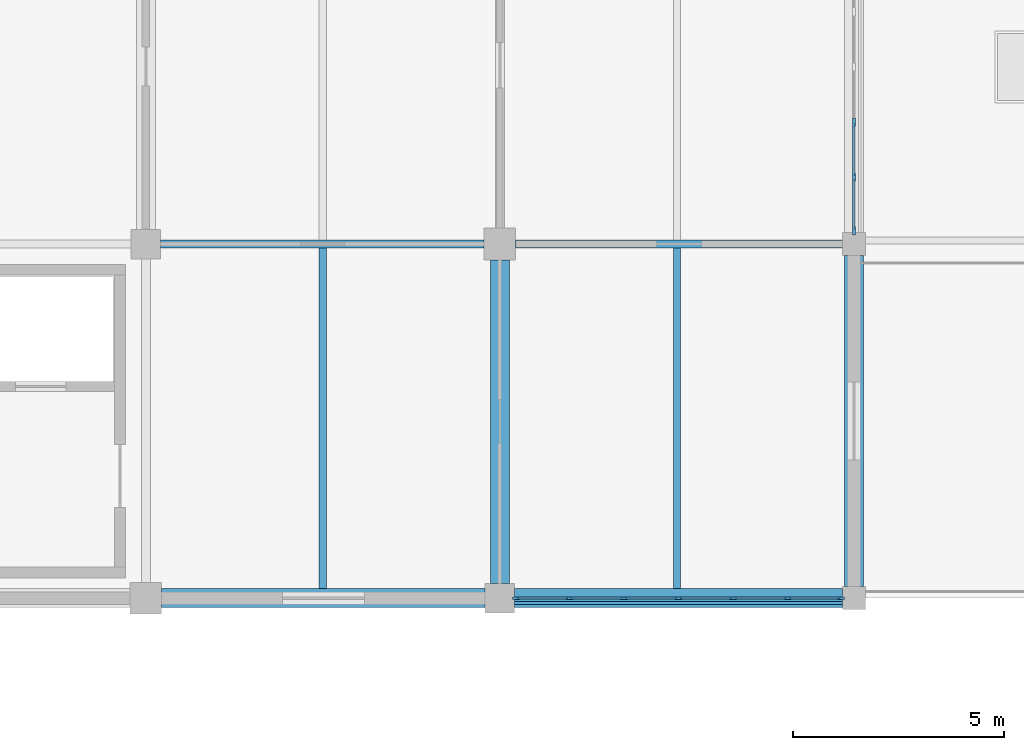
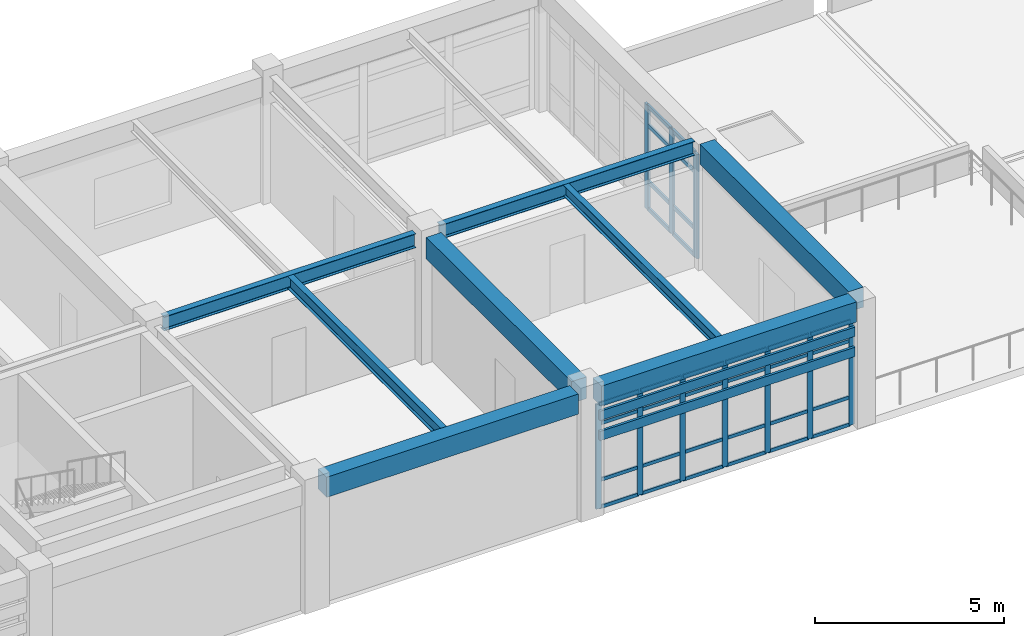
# One storey, part 16 of 40: 44 members, 8 beams, 2 elements without a shape of their own.
"""IFC4 building model written with IfcOpenShell, lengths in metres."""

from ifc_helpers import new_model, si_unit, direction, frame, origin, origin_2d, place, context, subcontext, project, spatial, rectangle, i_section, extrude, material, layer, layer_set, material_profile, profile_set, type_object, element, aggregate, save


model = new_model("IFC4")

# Units and contexts
model_context = context("Model", 3, precision=1e-05, world=origin(), true_north=direction((0.0, 1.0)))
body_context = subcontext(model_context, "Body", "Model", "MODEL_VIEW")
ifc_project = project(units=[si_unit("LENGTHUNIT", "METRE"), si_unit("AREAUNIT", "SQUARE_METRE"), si_unit("VOLUMEUNIT", "CUBIC_METRE"), si_unit("PLANEANGLEUNIT", "RADIAN"), si_unit("MASSUNIT", "GRAM", prefix="KILO")], contexts=[model_context])

# Site, building, storey
site_placement = place(None, origin())
site = spatial("IfcSite", under=ifc_project, at=site_placement, CompositionType="ELEMENT")
building_placement = place(site_placement, origin())
building = spatial("IfcBuilding", under=site, at=building_placement, Name="Porcellanite Civic Hall", CompositionType="ELEMENT")
storey_placement = place(building_placement, frame((0.0, 0.0, 19.080078125)))
storey = spatial("IfcBuildingStorey", under=building, at=storey_placement, Name="L04", CompositionType="ELEMENT", Elevation=19.080078125)

# Beams
ifc_material_1 = material(Name="Concrete N50 (50 MPa)", Category="concrete")
ifc_material_profile_1 = material_profile(ifc_material_1, rectangle(XDim=0.449951171875, YDim=0.64990234375, at=origin_2d()), Name="RC-450x650")
ifc_profile_set_1 = profile_set([ifc_material_profile_1], Name="Concrete N50 (50 MPa)")
beam_type_1 = type_object("IfcBeamType", Name="BM-RC650", PredefinedType="SPANDREL", material=ifc_profile_set_1)
beam_1_placement = place(storey_placement, frame((117.974609375, 100.800048828125, 3.744873046875), z_axis=(1.0, 0.0, 0.0), x_axis=(0.0, 1.0, 0.0)))
element("IfcBeam", 1, at=beam_1_placement, inside=storey, type_object=beam_type_1, Name="Beam X L04 15-13", PredefinedType="SPANDREL", context=body_context, shape_type="SweptSolid", body=[
    extrude(rectangle(XDim=0.449951171875, YDim=0.64990234375, at=origin_2d()), origin(), (0.0, 0.0, 1.0), 7.67578125),
])
beam_2_placement = place(storey_placement, frame((126.349609375, 100.800048828125, 3.744873046875), z_axis=(1.0, 0.0, 0.0), x_axis=(0.0, 1.0, 0.0)))
element("IfcBeam", 2, at=beam_2_placement, inside=storey, type_object=beam_type_1, Name="Beam X L04 16-13", PredefinedType="SPANDREL", context=body_context, shape_type="SweptSolid", body=[
    extrude(rectangle(XDim=0.449951171875, YDim=0.64990234375, at=origin_2d()), origin(), (0.0, 0.0, 1.0), 7.77587890625),
])
beam_3_placement = place(storey_placement, frame((134.39990234375, 101.074462890625, 3.744873046875), z_axis=(0.0, 1.0, 0.0), x_axis=(-1.0, 0.0, 0.0)))
element("IfcBeam", 3, at=beam_3_placement, inside=storey, type_object=beam_type_1, Name="Beam Y L04 17-13", PredefinedType="SPANDREL", context=body_context, shape_type="SweptSolid", body=[
    extrude(rectangle(XDim=0.449951171875, YDim=0.64990234375, at=origin_2d()), origin(), (0.0, 0.0, 1.0), 7.85107421875),
])
ifc_material_2 = material(Name="Concrete N50 (50 MPa)", Category="concrete")
ifc_material_profile_2 = material_profile(ifc_material_2, rectangle(XDim=0.449951171875, YDim=0.699951171875, at=origin_2d()), Name="RC-450x700")
ifc_profile_set_2 = profile_set([ifc_material_profile_2], Name="Concrete N50 (50 MPa)")
beam_type_2 = type_object("IfcBeamType", Name="BM-RC700", PredefinedType="BEAM", material=ifc_profile_set_2)
beam_4_placement = place(storey_placement, frame((126.0, 101.1494140625, 3.719970703125), z_axis=(0.0, 1.0, 0.0), x_axis=(-1.0, 0.0, 0.0)))
element("IfcBeam", 4, at=beam_4_placement, inside=storey, type_object=beam_type_2, Name="Beam Y L04 16-13", PredefinedType="BEAM", context=body_context, shape_type="SweptSolid", body=[
    extrude(rectangle(XDim=0.449951171875, YDim=0.699951171875, at=origin_2d()), origin(), (0.0, 0.0, 1.0), 7.676025390625),
])

# Curtain wall, members
ifc_material_3 = material(Name="Anodised aluminium and solar laminated glass", Category="aluminium")
ifc_layer_1 = layer(ifc_material_3, 0.179931640625)
ifc_layer_set_1 = layer_set([ifc_layer_1], Name="Anodised aluminium and solar laminated glass")
curtain_wall_type_1 = type_object("IfcCurtainWallType", Name="CW-SYS01", PredefinedType="NOTDEFINED", material=ifc_layer_set_1)
curtain_wall_1_placement = place(storey_placement, origin())
curtain_wall_1 = element("IfcCurtainWall", 5, at=curtain_wall_1_placement, inside=storey, type_object=curtain_wall_type_1, Name="Curtain wall CW-257", PredefinedType="NOTDEFINED")
ifc_material_4 = material(Name="Anodised aluminium 6063-T6", Category="aluminium")
ifc_material_profile_3 = material_profile(ifc_material_4, rectangle(XDim=0.070068359375, YDim=0.199951171875, at=origin_2d()), Name="AL-70x200")
ifc_profile_set_3 = profile_set([ifc_material_profile_3], Name="Anodised aluminium 6063-T6")
member_type_1 = type_object("IfcMemberType", Name="CWM-05", PredefinedType="MULLION", material=ifc_profile_set_3)
member_1_placement = place(storey_placement, frame((134.39990234375, 112.092041015625, 0.0), z_axis=(0.0, 0.0, 1.0), x_axis=(1.0, 0.0, 0.0)))
member_1 = element("IfcMember", 6, at=member_1_placement, type_object=member_type_1, Name="CW-257 mullion 5", PredefinedType="MULLION", context=body_context, shape_type="SweptSolid", body=[
    extrude(rectangle(XDim=0.070068359375, YDim=0.199951171875, at=origin_2d()), origin(), (0.0, 0.0, 1.0), 3.369873046875),
])
member_2_placement = place(storey_placement, frame((134.39990234375, 110.783935546875, 0.0), z_axis=(0.0, 0.0, 1.0), x_axis=(1.0, 0.0, 0.0)))
member_2 = element("IfcMember", 7, at=member_2_placement, type_object=member_type_1, Name="CW-257 mullion 6", PredefinedType="MULLION", context=body_context, shape_type="SweptSolid", body=[
    extrude(rectangle(XDim=0.070068359375, YDim=0.199951171875, at=origin_2d()), origin(), (0.0, 0.0, 1.0), 3.369873046875),
])
member_3_placement = place(storey_placement, frame((134.39990234375, 109.510986328125, 0.0), z_axis=(0.0, 0.0, 1.0), x_axis=(1.0, 0.0, 0.0)))
member_3 = element("IfcMember", 8, at=member_3_placement, type_object=member_type_1, Name="CW-257 mullion 7", PredefinedType="MULLION", context=body_context, shape_type="SweptSolid", body=[
    extrude(rectangle(XDim=0.070068359375, YDim=0.199951171875, at=origin_2d()), origin(), (0.0, 0.0, 1.0), 3.369873046875),
])

ifc_material_5 = material(Name="Anodised aluminium and solar laminated glass", Category="aluminium")
ifc_layer_2 = layer(ifc_material_5, 0.179931640625)
ifc_layer_set_2 = layer_set([ifc_layer_2], Name="Anodised aluminium and solar laminated glass")
curtain_wall_type_2 = type_object("IfcCurtainWallType", Name="CW-SYS07", PredefinedType="NOTDEFINED", material=ifc_layer_set_2)
curtain_wall_2_placement = place(storey_placement, origin())
curtain_wall_2 = element("IfcCurtainWall", 9, at=curtain_wall_2_placement, inside=storey, type_object=curtain_wall_type_2, Name="Curtain wall CW-255", PredefinedType="NOTDEFINED")
ifc_material_6 = material(Name="Anodised aluminium 6063-T6", Category="aluminium")
ifc_material_profile_4 = material_profile(ifc_material_6, rectangle(XDim=0.06005859375, YDim=0.159912109375, at=origin_2d()), Name="AL-60x160")
ifc_profile_set_4 = profile_set([ifc_material_profile_4], Name="Anodised aluminium 6063-T6")
member_type_2 = type_object("IfcMemberType", Name="CWM-07", PredefinedType="MULLION", material=ifc_profile_set_4)
member_4_placement = place(storey_placement, frame((134.093994140625, 100.800048828125, 0.0), z_axis=(0.0, 0.0, 1.0), x_axis=(0.0, -1.0, 0.0)))
member_4 = element("IfcMember", 10, at=member_4_placement, type_object=member_type_2, Name="CW-255 mullion 1", PredefinedType="MULLION", context=body_context, shape_type="SweptSolid", body=[
    extrude(rectangle(XDim=0.06005859375, YDim=0.159912109375, at=origin_2d()), origin(), (0.0, 0.0, 1.0), 3.369873046875),
])
member_5_placement = place(storey_placement, frame((132.82861328125, 100.800048828125, 0.0), z_axis=(0.0, 0.0, 1.0), x_axis=(0.0, -1.0, 0.0)))
member_5 = element("IfcMember", 11, at=member_5_placement, type_object=member_type_2, Name="CW-255 mullion 2", PredefinedType="MULLION", context=body_context, shape_type="SweptSolid", body=[
    extrude(rectangle(XDim=0.06005859375, YDim=0.159912109375, at=origin_2d()), origin(), (0.0, 0.0, 1.0), 3.369873046875),
])
member_6_placement = place(storey_placement, frame((131.532958984375, 100.800048828125, 0.0), z_axis=(0.0, 0.0, 1.0), x_axis=(0.0, -1.0, 0.0)))
member_6 = element("IfcMember", 12, at=member_6_placement, type_object=member_type_2, Name="CW-255 mullion 3", PredefinedType="MULLION", context=body_context, shape_type="SweptSolid", body=[
    extrude(rectangle(XDim=0.06005859375, YDim=0.159912109375, at=origin_2d()), origin(), (0.0, 0.0, 1.0), 3.369873046875),
])
member_7_placement = place(storey_placement, frame((130.237548828125, 100.800048828125, 0.0), z_axis=(0.0, 0.0, 1.0), x_axis=(0.0, -1.0, 0.0)))
member_7 = element("IfcMember", 13, at=member_7_placement, type_object=member_type_2, Name="CW-255 mullion 4", PredefinedType="MULLION", context=body_context, shape_type="SweptSolid", body=[
    extrude(rectangle(XDim=0.06005859375, YDim=0.159912109375, at=origin_2d()), origin(), (0.0, 0.0, 1.0), 3.369873046875),
])
member_8_placement = place(storey_placement, frame((128.94189453125, 100.800048828125, 0.0), z_axis=(0.0, 0.0, 1.0), x_axis=(0.0, -1.0, 0.0)))
member_8 = element("IfcMember", 14, at=member_8_placement, type_object=member_type_2, Name="CW-255 mullion 5", PredefinedType="MULLION", context=body_context, shape_type="SweptSolid", body=[
    extrude(rectangle(XDim=0.06005859375, YDim=0.159912109375, at=origin_2d()), origin(), (0.0, 0.0, 1.0), 3.369873046875),
])
member_9_placement = place(storey_placement, frame((127.646484375, 100.800048828125, 0.0), z_axis=(0.0, 0.0, 1.0), x_axis=(0.0, -1.0, 0.0)))
member_9 = element("IfcMember", 15, at=member_9_placement, type_object=member_type_2, Name="CW-255 mullion 6", PredefinedType="MULLION", context=body_context, shape_type="SweptSolid", body=[
    extrude(rectangle(XDim=0.06005859375, YDim=0.159912109375, at=origin_2d()), origin(), (0.0, 0.0, 1.0), 3.369873046875),
])
member_10_placement = place(storey_placement, frame((126.381103515625, 100.800048828125, 0.0), z_axis=(0.0, 0.0, 1.0), x_axis=(0.0, -1.0, 0.0)))
member_10 = element("IfcMember", 16, at=member_10_placement, type_object=member_type_2, Name="CW-255 mullion 7", PredefinedType="MULLION", context=body_context, shape_type="SweptSolid", body=[
    extrude(rectangle(XDim=0.06005859375, YDim=0.159912109375, at=origin_2d()), origin(), (0.0, 0.0, 1.0), 3.369873046875),
])

# Member
ifc_material_7 = material(Name="Anodised aluminium 6063-T6", Category="aluminium")
ifc_material_profile_5 = material_profile(ifc_material_7, rectangle(XDim=0.06005859375, YDim=0.1298828125, at=origin_2d()), Name="AL-60x130")
ifc_profile_set_5 = profile_set([ifc_material_profile_5], Name="Anodised aluminium 6063-T6")
member_type_3 = type_object("IfcMemberType", Name="CWT-03", PredefinedType="USERDEFINED", material=ifc_profile_set_5)
member_11_placement = place(storey_placement, frame((134.39990234375, 112.056884765625, 0.030029296875), z_axis=(0.0, -1.0, 0.0), x_axis=(1.0, 0.0, 0.0)))
member_11 = element("IfcMember", 17, at=member_11_placement, type_object=member_type_3, Name="CW-257 transom 5.1", ObjectType="TRANSOM", PredefinedType="USERDEFINED", context=body_context, shape_type="SweptSolid", body=[
    extrude(rectangle(XDim=0.06005859375, YDim=0.1298828125, at=origin_2d()), origin(), (0.0, 0.0, 1.0), 1.23779296875),
])

member_12_placement = place(storey_placement, frame((134.39990234375, 112.056884765625, 0.89990234375), z_axis=(0.0, -1.0, 0.0), x_axis=(1.0, 0.0, 0.0)))
member_12 = element("IfcMember", 18, at=member_12_placement, type_object=member_type_3, Name="CW-257 transom 5.2", ObjectType="TRANSOM", PredefinedType="USERDEFINED", context=body_context, shape_type="SweptSolid", body=[
    extrude(rectangle(XDim=0.06005859375, YDim=0.1298828125, at=origin_2d()), origin(), (0.0, 0.0, 1.0), 1.23779296875),
])

member_13_placement = place(storey_placement, frame((134.39990234375, 112.056884765625, 2.719970703125), z_axis=(0.0, -1.0, 0.0), x_axis=(1.0, 0.0, 0.0)))
member_13 = element("IfcMember", 19, at=member_13_placement, type_object=member_type_3, Name="CW-257 transom 5.3", ObjectType="TRANSOM", PredefinedType="USERDEFINED", context=body_context, shape_type="SweptSolid", body=[
    extrude(rectangle(XDim=0.06005859375, YDim=0.1298828125, at=origin_2d()), origin(), (0.0, 0.0, 1.0), 1.23779296875),
])

member_14_placement = place(storey_placement, frame((134.39990234375, 112.056884765625, 3.33984375), z_axis=(0.0, -1.0, 0.0), x_axis=(1.0, 0.0, 0.0)))
member_14 = element("IfcMember", 20, at=member_14_placement, type_object=member_type_3, Name="CW-257 transom 5.4", ObjectType="TRANSOM", PredefinedType="USERDEFINED", context=body_context, shape_type="SweptSolid", body=[
    extrude(rectangle(XDim=0.06005859375, YDim=0.1298828125, at=origin_2d()), origin(), (0.0, 0.0, 1.0), 1.23779296875),
])

member_15_placement = place(storey_placement, frame((134.39990234375, 110.7490234375, 0.030029296875), z_axis=(0.0, -1.0, 0.0), x_axis=(1.0, 0.0, 0.0)))
member_15 = element("IfcMember", 21, at=member_15_placement, type_object=member_type_3, Name="CW-257 transom 6.1", ObjectType="TRANSOM", PredefinedType="USERDEFINED", context=body_context, shape_type="SweptSolid", body=[
    extrude(rectangle(XDim=0.06005859375, YDim=0.1298828125, at=origin_2d()), origin(), (0.0, 0.0, 1.0), 1.203125),
])

member_16_placement = place(storey_placement, frame((134.39990234375, 110.7490234375, 0.89990234375), z_axis=(0.0, -1.0, 0.0), x_axis=(1.0, 0.0, 0.0)))
member_16 = element("IfcMember", 22, at=member_16_placement, type_object=member_type_3, Name="CW-257 transom 6.2", ObjectType="TRANSOM", PredefinedType="USERDEFINED", context=body_context, shape_type="SweptSolid", body=[
    extrude(rectangle(XDim=0.06005859375, YDim=0.1298828125, at=origin_2d()), origin(), (0.0, 0.0, 1.0), 1.203125),
])

member_17_placement = place(storey_placement, frame((134.39990234375, 110.7490234375, 2.719970703125), z_axis=(0.0, -1.0, 0.0), x_axis=(1.0, 0.0, 0.0)))
member_17 = element("IfcMember", 23, at=member_17_placement, type_object=member_type_3, Name="CW-257 transom 6.3", ObjectType="TRANSOM", PredefinedType="USERDEFINED", context=body_context, shape_type="SweptSolid", body=[
    extrude(rectangle(XDim=0.06005859375, YDim=0.1298828125, at=origin_2d()), origin(), (0.0, 0.0, 1.0), 1.203125),
])

member_18_placement = place(storey_placement, frame((134.39990234375, 110.7490234375, 3.33984375), z_axis=(0.0, -1.0, 0.0), x_axis=(1.0, 0.0, 0.0)))
member_18 = element("IfcMember", 24, at=member_18_placement, type_object=member_type_3, Name="CW-257 transom 6.4", ObjectType="TRANSOM", PredefinedType="USERDEFINED", context=body_context, shape_type="SweptSolid", body=[
    extrude(rectangle(XDim=0.06005859375, YDim=0.1298828125, at=origin_2d()), origin(), (0.0, 0.0, 1.0), 1.203125),
])

aggregate(curtain_wall_1, [member_1, member_2, member_3, member_11, member_12, member_13, member_14, member_15, member_16, member_17, member_18])

ifc_material_8 = material(Name="Anodised aluminium 6063-T6", Category="aluminium")
ifc_material_profile_6 = material_profile(ifc_material_8, rectangle(XDim=0.050048828125, YDim=0.110107421875, at=origin_2d()), Name="AL-50x110")
ifc_profile_set_6 = profile_set([ifc_material_profile_6], Name="Anodised aluminium 6063-T6")
member_type_4 = type_object("IfcMemberType", Name="CWT-07", PredefinedType="USERDEFINED", material=ifc_profile_set_6)
member_19_placement = place(storey_placement, frame((134.06396484375, 100.800048828125, 0.02490234375), z_axis=(-1.0, 0.0, 0.0), x_axis=(0.0, -1.0, 0.0)))
member_19 = element("IfcMember", 25, at=member_19_placement, type_object=member_type_4, Name="CW-255 transom 1.1", ObjectType="TRANSOM", PredefinedType="USERDEFINED", context=body_context, shape_type="SweptSolid", body=[
    extrude(rectangle(XDim=0.050048828125, YDim=0.110107421875, at=origin_2d()), origin(), (0.0, 0.0, 1.0), 1.20556640625),
])

member_20_placement = place(storey_placement, frame((134.06396484375, 100.800048828125, 0.89990234375), z_axis=(-1.0, 0.0, 0.0), x_axis=(0.0, -1.0, 0.0)))
member_20 = element("IfcMember", 26, at=member_20_placement, type_object=member_type_4, Name="CW-255 transom 1.2", ObjectType="TRANSOM", PredefinedType="USERDEFINED", context=body_context, shape_type="SweptSolid", body=[
    extrude(rectangle(XDim=0.050048828125, YDim=0.110107421875, at=origin_2d()), origin(), (0.0, 0.0, 1.0), 1.20556640625),
])

member_21_placement = place(storey_placement, frame((134.06396484375, 100.800048828125, 2.719970703125), z_axis=(-1.0, 0.0, 0.0), x_axis=(0.0, -1.0, 0.0)))
member_21 = element("IfcMember", 27, at=member_21_placement, type_object=member_type_4, Name="CW-255 transom 1.3", ObjectType="TRANSOM", PredefinedType="USERDEFINED", context=body_context, shape_type="SweptSolid", body=[
    extrude(rectangle(XDim=0.050048828125, YDim=0.110107421875, at=origin_2d()), origin(), (0.0, 0.0, 1.0), 1.20556640625),
])

member_22_placement = place(storey_placement, frame((134.06396484375, 100.800048828125, 3.344970703125), z_axis=(-1.0, 0.0, 0.0), x_axis=(0.0, -1.0, 0.0)))
member_22 = element("IfcMember", 28, at=member_22_placement, type_object=member_type_4, Name="CW-255 transom 1.4", ObjectType="TRANSOM", PredefinedType="USERDEFINED", context=body_context, shape_type="SweptSolid", body=[
    extrude(rectangle(XDim=0.050048828125, YDim=0.110107421875, at=origin_2d()), origin(), (0.0, 0.0, 1.0), 1.20556640625),
])

member_23_placement = place(storey_placement, frame((132.798583984375, 100.800048828125, 0.02490234375), z_axis=(-1.0, 0.0, 0.0), x_axis=(0.0, -1.0, 0.0)))
member_23 = element("IfcMember", 29, at=member_23_placement, type_object=member_type_4, Name="CW-255 transom 2.1", ObjectType="TRANSOM", PredefinedType="USERDEFINED", context=body_context, shape_type="SweptSolid", body=[
    extrude(rectangle(XDim=0.050048828125, YDim=0.110107421875, at=origin_2d()), origin(), (0.0, 0.0, 1.0), 1.235595703125),
])

member_24_placement = place(storey_placement, frame((132.798583984375, 100.800048828125, 0.89990234375), z_axis=(-1.0, 0.0, 0.0), x_axis=(0.0, -1.0, 0.0)))
member_24 = element("IfcMember", 30, at=member_24_placement, type_object=member_type_4, Name="CW-255 transom 2.2", ObjectType="TRANSOM", PredefinedType="USERDEFINED", context=body_context, shape_type="SweptSolid", body=[
    extrude(rectangle(XDim=0.050048828125, YDim=0.110107421875, at=origin_2d()), origin(), (0.0, 0.0, 1.0), 1.235595703125),
])

member_25_placement = place(storey_placement, frame((132.798583984375, 100.800048828125, 2.719970703125), z_axis=(-1.0, 0.0, 0.0), x_axis=(0.0, -1.0, 0.0)))
member_25 = element("IfcMember", 31, at=member_25_placement, type_object=member_type_4, Name="CW-255 transom 2.3", ObjectType="TRANSOM", PredefinedType="USERDEFINED", context=body_context, shape_type="SweptSolid", body=[
    extrude(rectangle(XDim=0.050048828125, YDim=0.110107421875, at=origin_2d()), origin(), (0.0, 0.0, 1.0), 1.235595703125),
])

member_26_placement = place(storey_placement, frame((132.798583984375, 100.800048828125, 3.344970703125), z_axis=(-1.0, 0.0, 0.0), x_axis=(0.0, -1.0, 0.0)))
member_26 = element("IfcMember", 32, at=member_26_placement, type_object=member_type_4, Name="CW-255 transom 2.4", ObjectType="TRANSOM", PredefinedType="USERDEFINED", context=body_context, shape_type="SweptSolid", body=[
    extrude(rectangle(XDim=0.050048828125, YDim=0.110107421875, at=origin_2d()), origin(), (0.0, 0.0, 1.0), 1.235595703125),
])

member_27_placement = place(storey_placement, frame((131.5029296875, 100.800048828125, 0.02490234375), z_axis=(-1.0, 0.0, 0.0), x_axis=(0.0, -1.0, 0.0)))
member_27 = element("IfcMember", 33, at=member_27_placement, type_object=member_type_4, Name="CW-255 transom 3.1", ObjectType="TRANSOM", PredefinedType="USERDEFINED", context=body_context, shape_type="SweptSolid", body=[
    extrude(rectangle(XDim=0.050048828125, YDim=0.110107421875, at=origin_2d()), origin(), (0.0, 0.0, 1.0), 1.2353515625),
])

member_28_placement = place(storey_placement, frame((131.5029296875, 100.800048828125, 0.89990234375), z_axis=(-1.0, 0.0, 0.0), x_axis=(0.0, -1.0, 0.0)))
member_28 = element("IfcMember", 34, at=member_28_placement, type_object=member_type_4, Name="CW-255 transom 3.2", ObjectType="TRANSOM", PredefinedType="USERDEFINED", context=body_context, shape_type="SweptSolid", body=[
    extrude(rectangle(XDim=0.050048828125, YDim=0.110107421875, at=origin_2d()), origin(), (0.0, 0.0, 1.0), 1.2353515625),
])

member_29_placement = place(storey_placement, frame((131.5029296875, 100.800048828125, 2.719970703125), z_axis=(-1.0, 0.0, 0.0), x_axis=(0.0, -1.0, 0.0)))
member_29 = element("IfcMember", 35, at=member_29_placement, type_object=member_type_4, Name="CW-255 transom 3.3", ObjectType="TRANSOM", PredefinedType="USERDEFINED", context=body_context, shape_type="SweptSolid", body=[
    extrude(rectangle(XDim=0.050048828125, YDim=0.110107421875, at=origin_2d()), origin(), (0.0, 0.0, 1.0), 1.2353515625),
])

member_30_placement = place(storey_placement, frame((131.5029296875, 100.800048828125, 3.344970703125), z_axis=(-1.0, 0.0, 0.0), x_axis=(0.0, -1.0, 0.0)))
member_30 = element("IfcMember", 36, at=member_30_placement, type_object=member_type_4, Name="CW-255 transom 3.4", ObjectType="TRANSOM", PredefinedType="USERDEFINED", context=body_context, shape_type="SweptSolid", body=[
    extrude(rectangle(XDim=0.050048828125, YDim=0.110107421875, at=origin_2d()), origin(), (0.0, 0.0, 1.0), 1.2353515625),
])

member_31_placement = place(storey_placement, frame((130.20751953125, 100.800048828125, 0.02490234375), z_axis=(-1.0, 0.0, 0.0), x_axis=(0.0, -1.0, 0.0)))
member_31 = element("IfcMember", 37, at=member_31_placement, type_object=member_type_4, Name="CW-255 transom 4.1", ObjectType="TRANSOM", PredefinedType="USERDEFINED", context=body_context, shape_type="SweptSolid", body=[
    extrude(rectangle(XDim=0.050048828125, YDim=0.110107421875, at=origin_2d()), origin(), (0.0, 0.0, 1.0), 1.235595703125),
])

member_32_placement = place(storey_placement, frame((130.20751953125, 100.800048828125, 0.89990234375), z_axis=(-1.0, 0.0, 0.0), x_axis=(0.0, -1.0, 0.0)))
member_32 = element("IfcMember", 38, at=member_32_placement, type_object=member_type_4, Name="CW-255 transom 4.2", ObjectType="TRANSOM", PredefinedType="USERDEFINED", context=body_context, shape_type="SweptSolid", body=[
    extrude(rectangle(XDim=0.050048828125, YDim=0.110107421875, at=origin_2d()), origin(), (0.0, 0.0, 1.0), 1.235595703125),
])

member_33_placement = place(storey_placement, frame((130.20751953125, 100.800048828125, 2.719970703125), z_axis=(-1.0, 0.0, 0.0), x_axis=(0.0, -1.0, 0.0)))
member_33 = element("IfcMember", 39, at=member_33_placement, type_object=member_type_4, Name="CW-255 transom 4.3", ObjectType="TRANSOM", PredefinedType="USERDEFINED", context=body_context, shape_type="SweptSolid", body=[
    extrude(rectangle(XDim=0.050048828125, YDim=0.110107421875, at=origin_2d()), origin(), (0.0, 0.0, 1.0), 1.235595703125),
])

member_34_placement = place(storey_placement, frame((130.20751953125, 100.800048828125, 3.344970703125), z_axis=(-1.0, 0.0, 0.0), x_axis=(0.0, -1.0, 0.0)))
member_34 = element("IfcMember", 40, at=member_34_placement, type_object=member_type_4, Name="CW-255 transom 4.4", ObjectType="TRANSOM", PredefinedType="USERDEFINED", context=body_context, shape_type="SweptSolid", body=[
    extrude(rectangle(XDim=0.050048828125, YDim=0.110107421875, at=origin_2d()), origin(), (0.0, 0.0, 1.0), 1.235595703125),
])

member_35_placement = place(storey_placement, frame((128.912109375, 100.800048828125, 0.02490234375), z_axis=(-1.0, 0.0, 0.0), x_axis=(0.0, -1.0, 0.0)))
member_35 = element("IfcMember", 41, at=member_35_placement, type_object=member_type_4, Name="CW-255 transom 5.1", ObjectType="TRANSOM", PredefinedType="USERDEFINED", context=body_context, shape_type="SweptSolid", body=[
    extrude(rectangle(XDim=0.050048828125, YDim=0.110107421875, at=origin_2d()), origin(), (0.0, 0.0, 1.0), 1.235595703125),
])

member_36_placement = place(storey_placement, frame((128.912109375, 100.800048828125, 0.89990234375), z_axis=(-1.0, 0.0, 0.0), x_axis=(0.0, -1.0, 0.0)))
member_36 = element("IfcMember", 42, at=member_36_placement, type_object=member_type_4, Name="CW-255 transom 5.2", ObjectType="TRANSOM", PredefinedType="USERDEFINED", context=body_context, shape_type="SweptSolid", body=[
    extrude(rectangle(XDim=0.050048828125, YDim=0.110107421875, at=origin_2d()), origin(), (0.0, 0.0, 1.0), 1.235595703125),
])

member_37_placement = place(storey_placement, frame((128.912109375, 100.800048828125, 2.719970703125), z_axis=(-1.0, 0.0, 0.0), x_axis=(0.0, -1.0, 0.0)))
member_37 = element("IfcMember", 43, at=member_37_placement, type_object=member_type_4, Name="CW-255 transom 5.3", ObjectType="TRANSOM", PredefinedType="USERDEFINED", context=body_context, shape_type="SweptSolid", body=[
    extrude(rectangle(XDim=0.050048828125, YDim=0.110107421875, at=origin_2d()), origin(), (0.0, 0.0, 1.0), 1.235595703125),
])

member_38_placement = place(storey_placement, frame((128.912109375, 100.800048828125, 3.344970703125), z_axis=(-1.0, 0.0, 0.0), x_axis=(0.0, -1.0, 0.0)))
member_38 = element("IfcMember", 44, at=member_38_placement, type_object=member_type_4, Name="CW-255 transom 5.4", ObjectType="TRANSOM", PredefinedType="USERDEFINED", context=body_context, shape_type="SweptSolid", body=[
    extrude(rectangle(XDim=0.050048828125, YDim=0.110107421875, at=origin_2d()), origin(), (0.0, 0.0, 1.0), 1.235595703125),
])

member_39_placement = place(storey_placement, frame((127.616455078125, 100.800048828125, 0.02490234375), z_axis=(-1.0, 0.0, 0.0), x_axis=(0.0, -1.0, 0.0)))
member_39 = element("IfcMember", 45, at=member_39_placement, type_object=member_type_4, Name="CW-255 transom 6.1", ObjectType="TRANSOM", PredefinedType="USERDEFINED", context=body_context, shape_type="SweptSolid", body=[
    extrude(rectangle(XDim=0.050048828125, YDim=0.110107421875, at=origin_2d()), origin(), (0.0, 0.0, 1.0), 1.20556640625),
])

member_40_placement = place(storey_placement, frame((127.616455078125, 100.800048828125, 0.89990234375), z_axis=(-1.0, 0.0, 0.0), x_axis=(0.0, -1.0, 0.0)))
member_40 = element("IfcMember", 46, at=member_40_placement, type_object=member_type_4, Name="CW-255 transom 6.2", ObjectType="TRANSOM", PredefinedType="USERDEFINED", context=body_context, shape_type="SweptSolid", body=[
    extrude(rectangle(XDim=0.050048828125, YDim=0.110107421875, at=origin_2d()), origin(), (0.0, 0.0, 1.0), 1.20556640625),
])

member_41_placement = place(storey_placement, frame((127.616455078125, 100.800048828125, 2.719970703125), z_axis=(-1.0, 0.0, 0.0), x_axis=(0.0, -1.0, 0.0)))
member_41 = element("IfcMember", 47, at=member_41_placement, type_object=member_type_4, Name="CW-255 transom 6.3", ObjectType="TRANSOM", PredefinedType="USERDEFINED", context=body_context, shape_type="SweptSolid", body=[
    extrude(rectangle(XDim=0.050048828125, YDim=0.110107421875, at=origin_2d()), origin(), (0.0, 0.0, 1.0), 1.20556640625),
])

member_42_placement = place(storey_placement, frame((127.616455078125, 100.800048828125, 3.344970703125), z_axis=(-1.0, 0.0, 0.0), x_axis=(0.0, -1.0, 0.0)))
member_42 = element("IfcMember", 48, at=member_42_placement, type_object=member_type_4, Name="CW-255 transom 6.4", ObjectType="TRANSOM", PredefinedType="USERDEFINED", context=body_context, shape_type="SweptSolid", body=[
    extrude(rectangle(XDim=0.050048828125, YDim=0.110107421875, at=origin_2d()), origin(), (0.0, 0.0, 1.0), 1.20556640625),
])

aggregate(curtain_wall_2, [member_4, member_5, member_6, member_7, member_8, member_9, member_10, member_19, member_20, member_21, member_22, member_23, member_24, member_25, member_26, member_27, member_28, member_29, member_30, member_31, member_32, member_33, member_34, member_35, member_36, member_37, member_38, member_39, member_40, member_41, member_42])

# Beams
ifc_material_9 = material(Name="Steel Grade 350", Category="steel")
ifc_material_profile_7 = material_profile(ifc_material_9, i_section(OverallWidth=0.172119140625, OverallDepth=0.35888671875, WebThickness=0.008056640625, FlangeThickness=0.012939453125, FilletRadius=0.011474609375, at=origin_2d()), Name="360UB56.7")
ifc_profile_set_7 = profile_set([ifc_material_profile_7], Name="Steel Grade 350")
beam_type_3 = type_object("IfcBeamType", Name="JST-360UB57", PredefinedType="JOIST", material=ifc_profile_set_7)
beam_5_placement = place(storey_placement, frame((130.199951171875, 101.0244140625, 3.890380859375), z_axis=(0.0, 1.0, 0.0), x_axis=(-1.0, 0.0, 0.0)))
element("IfcBeam", 49, at=beam_5_placement, inside=storey, type_object=beam_type_3, Name="Secondary joist L04 16-13", PredefinedType="JOIST", context=body_context, shape_type="SweptSolid", body=[
    extrude(i_section(OverallWidth=0.172119140625, OverallDepth=0.35888671875, WebThickness=0.008056640625, FlangeThickness=0.012939453125, FilletRadius=0.011474609375, at=origin_2d()), origin(), (0.0, 0.0, 1.0), 8.0810546875),
])
ifc_material_10 = material(Name="Steel Grade 350", Category="steel")
ifc_material_profile_8 = material_profile(ifc_material_10, i_section(OverallWidth=0.177978515625, OverallDepth=0.403076171875, WebThickness=0.007568359375, FlangeThickness=0.010986328125, FilletRadius=0.011474609375, at=origin_2d()), Name="410UB53.7")
ifc_profile_set_8 = profile_set([ifc_material_profile_8], Name="Steel Grade 350")
beam_type_4 = type_object("IfcBeamType", Name="JST-410UB54", PredefinedType="JOIST", material=ifc_profile_set_8)
beam_6_placement = place(storey_placement, frame((121.800048828125, 101.0244140625, 3.868408203125), z_axis=(0.0, 1.0, 0.0), x_axis=(-1.0, 0.0, 0.0)))
element("IfcBeam", 50, at=beam_6_placement, inside=storey, type_object=beam_type_4, Name="Secondary joist L04 15-13", PredefinedType="JOIST", context=body_context, shape_type="SweptSolid", body=[
    extrude(i_section(OverallWidth=0.177978515625, OverallDepth=0.403076171875, WebThickness=0.007568359375, FlangeThickness=0.010986328125, FilletRadius=0.011474609375, at=origin_2d()), origin(), (0.0, 0.0, 1.0), 8.0810546875),
])

# Members
ifc_material_11 = material(Name="Fluoropolymer bauxite-red aluminium 6063-T6", Category="aluminium")
ifc_material_profile_9 = material_profile(ifc_material_11, rectangle(XDim=0.074951171875, YDim=0.300048828125, at=origin_2d()), Name="AL-75x300")
ifc_profile_set_9 = profile_set([ifc_material_profile_9], Name="Fluoropolymer bauxite-red aluminium 6063-T6")
member_type_5 = type_object("IfcMemberType", Name="LV-BLD04", PredefinedType="USERDEFINED", material=ifc_profile_set_9)
for number, where, z_axis, x_axis, name in (
    (51, (134.12548828125, 100.680419921875, 3.06982421875), (-1.0, 0.0, 0.0), (0.0, -1.0, 0.0), "Cyclone sunshade louvre L04 S 15-12 1"),
    (52, (134.12548828125, 100.680419921875, 2.419921875), (-1.0, 0.0, 0.0), (0.0, -1.0, 0.0), "Cyclone sunshade louvre L04 S 15-12 2"),
):
    element("IfcMember", number, at=place(storey_placement, frame(where, z_axis=z_axis, x_axis=x_axis)), inside=storey, type_object=member_type_5, Name=name, ObjectType="LOUVRE BLADE", PredefinedType="USERDEFINED", context=body_context, shape_type="SweptSolid", body=[
        extrude(rectangle(XDim=0.074951171875, YDim=0.300048828125, at=origin_2d()), origin(), (0.0, 0.0, 1.0), 7.77587890625),
    ])

# Beams
ifc_material_12 = material(Name="Steel Grade 350", Category="steel")
ifc_material_profile_10 = material_profile(ifc_material_12, i_section(OverallWidth=0.18994140625, OverallDepth=0.4541015625, WebThickness=0.008544921875, FlangeThickness=0.0126953125, FilletRadius=0.011474609375, at=origin_2d()), Name="460UB67.1")
ifc_profile_set_10 = profile_set([ifc_material_profile_10], Name="Steel Grade 350")
beam_type_5 = type_object("IfcBeamType", Name="RAF-460UB67", PredefinedType="BEAM", material=ifc_profile_set_10)
beam_7_placement = place(storey_placement, frame((117.949462890625, 109.199951171875, 3.843017578125), z_axis=(1.0, 0.0, 0.0), x_axis=(0.0, 1.0, 0.0)))
element("IfcBeam", 53, at=beam_7_placement, inside=storey, type_object=beam_type_5, Name="Beam X L04 15-14", PredefinedType="BEAM", context=body_context, shape_type="SweptSolid", body=[
    extrude(i_section(OverallWidth=0.18994140625, OverallDepth=0.4541015625, WebThickness=0.008544921875, FlangeThickness=0.0126953125, FilletRadius=0.011474609375, at=origin_2d()), origin(), (0.0, 0.0, 1.0), 7.676025390625),
])
beam_8_placement = place(storey_placement, frame((126.37451171875, 109.199951171875, 3.843017578125), z_axis=(1.0, 0.0, 0.0), x_axis=(0.0, 1.0, 0.0)))
element("IfcBeam", 54, at=beam_8_placement, inside=storey, type_object=beam_type_5, Name="Beam X L04 16-14", PredefinedType="BEAM", context=body_context, shape_type="SweptSolid", body=[
    extrude(i_section(OverallWidth=0.18994140625, OverallDepth=0.4541015625, WebThickness=0.008544921875, FlangeThickness=0.0126953125, FilletRadius=0.011474609375, at=origin_2d()), origin(), (0.0, 0.0, 1.0), 7.7509765625),
])

save(model, "model.ifc")
